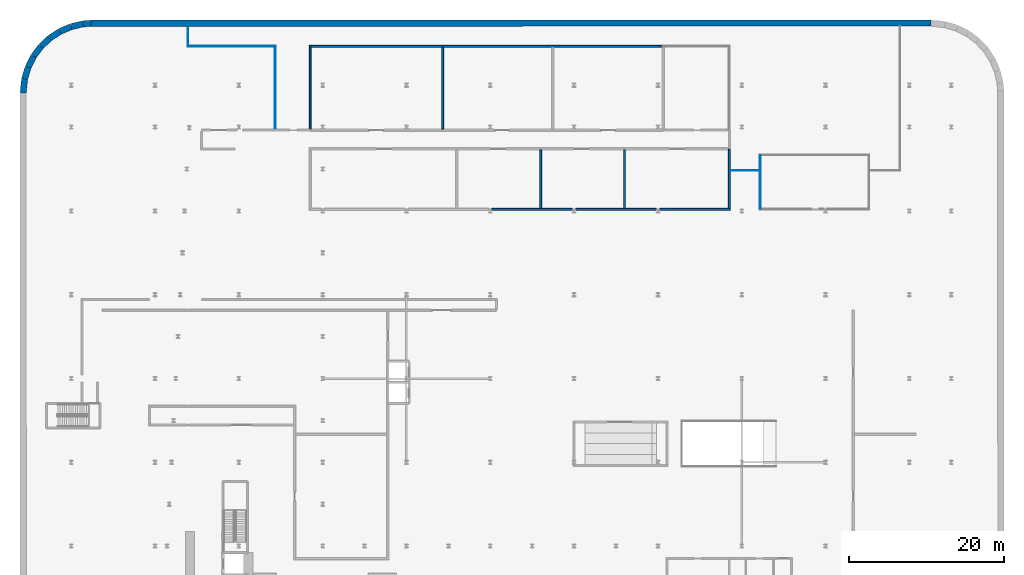
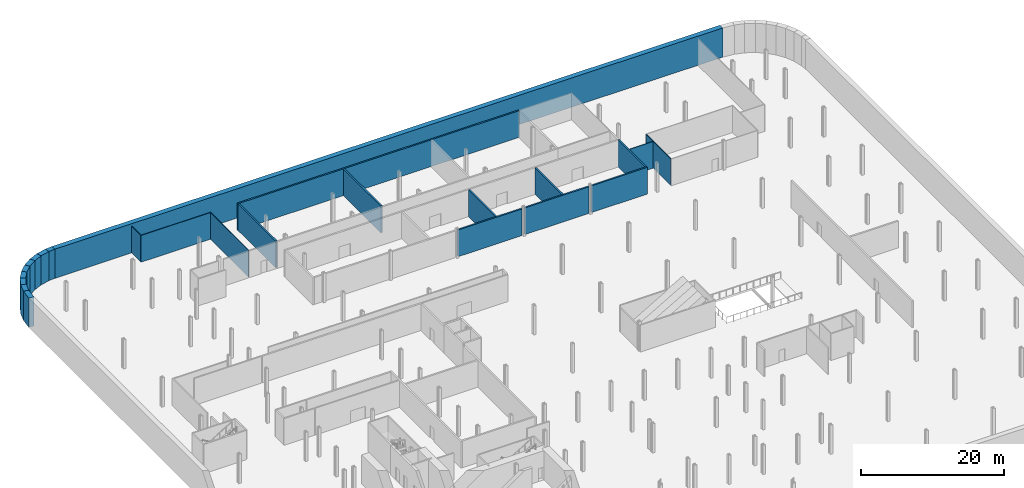
# One storey, part 13 of 19: 24 walls.
"""IFC4 building model written with IfcOpenShell, lengths in metres."""

from ifc_helpers import new_model, si_unit, direction, frame, frame_2d, origin, place, context, subcontext, project, spatial, rectangle, extrude, material, layer, layer_set, type_object, element, save


model = new_model("IFC4")

# Units and contexts
model_context = context("Model", 3, precision=1e-05, world=origin(), true_north=direction((0.0, 1.0)))
body_context = subcontext(model_context, "Body", "Model", "MODEL_VIEW")
ifc_project = project(units=[si_unit("LENGTHUNIT", "METRE"), si_unit("AREAUNIT", "SQUARE_METRE"), si_unit("VOLUMEUNIT", "CUBIC_METRE"), si_unit("PLANEANGLEUNIT", "RADIAN"), si_unit("MASSUNIT", "GRAM", prefix="KILO")], contexts=[model_context])

# Site, building, storey
site_placement = place(None, origin())
site = spatial("IfcSite", under=ifc_project, at=site_placement, CompositionType="ELEMENT")
building_placement = place(site_placement, origin())
building = spatial("IfcBuilding", under=site, at=building_placement, Name="Kheshtan School and Residences Tower", CompositionType="ELEMENT")
storey_placement = place(building_placement, frame((0.0, 0.0, -10.0)))
storey = spatial("IfcBuildingStorey", under=building, at=storey_placement, Name="B2", CompositionType="ELEMENT", Elevation=-10.0)

# Walls
ifc_material_1 = material(Name="Concrete C35/45", Category="concrete")
ifc_layer_1 = layer(ifc_material_1, 0.800048828125)
ifc_layer_set_1 = layer_set([ifc_layer_1], Name="Basement wall 800 Concrete C35/45")
wall_type_1 = type_object("IfcWallType", Name="Basement wall 800 Concrete C35/45", PredefinedType="SOLIDWALL", material=ifc_layer_set_1)
wall_1_placement = place(storey_placement, frame((9.0, 104.0, 0.0), z_axis=(0.0, 0.0, 1.0), x_axis=(0.105567043429, 0.994412187849, 0.0)))
element("IfcWall", 1, at=wall_1_placement, inside=storey, type_object=wall_type_1, Name="Secant pile wall 1", PredefinedType="SOLIDWALL", context=body_context, shape_type="SweptSolid", body=[
    extrude(rectangle(XDim=1.829345703125, YDim=0.800048828125, at=frame_2d((0.91455078125, 0.0))), origin(), (0.0, 0.0, 1.0), 5.0),
])
wall_2_placement = place(storey_placement, frame((9.193115234375, 105.819091796875, 0.0), z_axis=(0.0, 0.0, 1.0), x_axis=(0.287147763375, 0.957886299092, 0.0)))
element("IfcWall", 2, at=wall_2_placement, inside=storey, type_object=wall_type_1, Name="Secant pile wall 2", PredefinedType="SOLIDWALL", context=body_context, shape_type="SweptSolid", body=[
    extrude(rectangle(XDim=1.56689453125, YDim=0.800048828125, at=frame_2d((0.783447265625, 0.0))), origin(), (0.0, 0.0, 1.0), 5.0),
])
wall_3_placement = place(storey_placement, frame((9.64306640625, 107.320068359375, 0.0), z_axis=(0.0, 0.0, 1.0), x_axis=(0.448459314462, 0.893803246399, 0.0)))
element("IfcWall", 3, at=wall_3_placement, inside=storey, type_object=wall_type_1, Name="Secant pile wall 3", PredefinedType="SOLIDWALL", context=body_context, shape_type="SweptSolid", body=[
    extrude(rectangle(XDim=1.5673828125, YDim=0.800048828125, at=frame_2d((0.78369140625, 0.0))), origin(), (0.0, 0.0, 1.0), 5.0),
])
wall_4_placement = place(storey_placement, frame((10.345947265625, 108.720947265625, 0.0), z_axis=(0.0, 0.0, 1.0), x_axis=(0.597630520512, 0.801771638905, 0.0)))
element("IfcWall", 4, at=wall_4_placement, inside=storey, type_object=wall_type_1, Name="Secant pile wall 4", PredefinedType="SOLIDWALL", context=body_context, shape_type="SweptSolid", body=[
    extrude(rectangle(XDim=1.56787109375, YDim=0.800048828125, at=frame_2d((0.783935546875, 0.0))), origin(), (0.0, 0.0, 1.0), 5.0),
])
wall_5_placement = place(storey_placement, frame((11.282958984375, 109.97802734375, 0.0), z_axis=(0.0, 0.0, 1.0), x_axis=(0.726995868662, 0.686641833089, 0.0)))
element("IfcWall", 5, at=wall_5_placement, inside=storey, type_object=wall_type_1, Name="Secant pile wall 5", PredefinedType="SOLIDWALL", context=body_context, shape_type="SweptSolid", body=[
    extrude(rectangle(XDim=1.56689453125, YDim=0.800048828125, at=frame_2d((0.783447265625, 0.0))), origin(), (0.0, 0.0, 1.0), 5.0),
])
wall_6_placement = place(storey_placement, frame((12.422119140625, 111.053955078125, 0.0), z_axis=(0.0, 0.0, 1.0), x_axis=(0.835603348101, 0.549333272834, 0.0)))
element("IfcWall", 6, at=wall_6_placement, inside=storey, type_object=wall_type_1, Name="Secant pile wall 6", PredefinedType="SOLIDWALL", context=body_context, shape_type="SweptSolid", body=[
    extrude(rectangle(XDim=1.567626953125, YDim=0.800048828125, at=frame_2d((0.78369140625, 0.0))), origin(), (0.0, 0.0, 1.0), 5.0),
])
wall_7_placement = place(storey_placement, frame((13.73193359375, 111.9150390625, 0.0), z_axis=(0.0, 0.0, 1.0), x_axis=(0.918183437355, 0.396155493925, 0.0)))
element("IfcWall", 7, at=wall_7_placement, inside=storey, type_object=wall_type_1, Name="Secant pile wall 7", PredefinedType="SOLIDWALL", context=body_context, shape_type="SweptSolid", body=[
    extrude(rectangle(XDim=1.567138671875, YDim=0.800048828125, at=frame_2d((0.78369140625, 0.0))), origin(), (0.0, 0.0, 1.0), 5.0),
])
wall_8_placement = place(storey_placement, frame((15.1708984375, 112.535888671875, 0.0), z_axis=(0.0, 0.0, 1.0), x_axis=(0.972992949439, 0.230834833469, 0.0)))
element("IfcWall", 8, at=wall_8_placement, inside=storey, type_object=wall_type_1, Name="Secant pile wall 8", PredefinedType="SOLIDWALL", context=body_context, shape_type="SweptSolid", body=[
    extrude(rectangle(XDim=1.568603515625, YDim=0.800048828125, at=frame_2d((0.7841796875, 0.0))), origin(), (0.0, 0.0, 1.0), 5.0),
])
wall_9_placement = place(storey_placement, frame((16.697021484375, 112.89794921875, 0.0), z_axis=(0.0, 0.0, 1.0), x_axis=(0.996202832813, 0.087062712427, 0.0)))
element("IfcWall", 9, at=wall_9_placement, inside=storey, type_object=wall_type_1, Name="Secant pile wall 9", PredefinedType="SOLIDWALL", context=body_context, shape_type="SweptSolid", body=[
    extrude(rectangle(XDim=1.0458984375, YDim=0.800048828125, at=frame_2d((0.52294921875, 0.0))), origin(), (0.0, 0.0, 1.0), 5.0),
])
wall_10_placement = place(storey_placement, frame((17.739013671875, 112.989013671875, 0.0), z_axis=(0.0, 0.0, 1.0), x_axis=(0.999999994851, 0.000101480029, 0.0)))
element("IfcWall", 10, at=wall_10_placement, inside=storey, type_object=wall_type_1, Name="Secant pile wall 10", PredefinedType="SOLIDWALL", context=body_context, shape_type="SweptSolid", body=[
    extrude(rectangle(XDim=108.260986328125, YDim=0.800048828125, at=frame_2d((54.13037109375, 0.0))), origin(), (0.0, 0.0, 1.0), 5.0),
])
ifc_material_2 = material(Name="Gypsum board on steel studs", Category="steel")
ifc_layer_2 = layer(ifc_material_2, 0.10009765625)
ifc_layer_set_2 = layer_set([ifc_layer_2], Name="Gypsum partition 100")
wall_type_2 = type_object("IfcWallType", Name="Gypsum partition 100", PredefinedType="PARTITIONING", material=ifc_layer_set_2)
wall_11_placement = place(storey_placement, frame((30.199951171875, 110.0, 0.0), z_axis=(0.0, 0.0, 1.0), x_axis=(1.0, 0.0, 0.0)))
element("IfcWall", 11, at=wall_11_placement, inside=storey, type_object=wall_type_2, Name="Partition B2-009", PredefinedType="PARTITIONING", context=body_context, shape_type="SweptSolid", body=[
    extrude(rectangle(XDim=11.35009765625, YDim=0.10009765625, at=frame_2d((5.675048828125, 0.0))), origin(), (0.0, 0.0, 1.0), 4.580078125),
])
wall_12_placement = place(storey_placement, frame((30.25, 110.050048828125, 0.0), z_axis=(0.0, 0.0, 1.0), x_axis=(0.0, 1.0, 0.0)))
element("IfcWall", 12, at=wall_12_placement, inside=storey, type_object=wall_type_2, Name="Partition B2-013", PredefinedType="PARTITIONING", context=body_context, shape_type="SweptSolid", body=[
    extrude(rectangle(XDim=2.541015625, YDim=0.10009765625, at=frame_2d((1.2705078125, 0.0))), origin(), (0.0, 0.0, 1.0), 4.580078125),
])
wall_13_placement = place(storey_placement, frame((41.5, 99.300048828125, 0.0), z_axis=(0.0, 0.0, 1.0), x_axis=(0.0, 1.0, 0.0)))
element("IfcWall", 13, at=wall_13_placement, inside=storey, type_object=wall_type_2, Name="Partition B2-021", PredefinedType="PARTITIONING", context=body_context, shape_type="SweptSolid", body=[
    extrude(rectangle(XDim=10.64990234375, YDim=0.10009765625, at=frame_2d((5.324951171875, 0.0))), origin(), (0.0, 0.0, 1.0), 4.580078125),
])
wall_14_placement = place(storey_placement, frame((100.125, 94.0, 0.0), z_axis=(0.0, 0.0, 1.0), x_axis=(1.0, 0.0, 0.0)))
element("IfcWall", 14, at=wall_14_placement, inside=storey, type_object=wall_type_2, Name="Partition B2-059", PredefinedType="PARTITIONING", context=body_context, shape_type="SweptSolid", body=[
    extrude(rectangle(XDim=3.824951171875, YDim=0.10009765625, at=frame_2d((1.91259765625, 0.0))), origin(), (0.0, 0.0, 1.0), 4.580078125),
])
wall_15_placement = place(storey_placement, frame((104.0, 89.050048828125, 0.0), z_axis=(0.0, 0.0, 1.0), x_axis=(0.0, 1.0, 0.0)))
element("IfcWall", 15, at=wall_15_placement, inside=storey, type_object=wall_type_2, Name="Partition B2-064", PredefinedType="PARTITIONING", context=body_context, shape_type="SweptSolid", body=[
    extrude(rectangle(XDim=6.89990234375, YDim=0.10009765625, at=frame_2d((3.449951171875, 0.0))), origin(), (0.0, 0.0, 1.0), 4.580078125),
])
ifc_material_3 = material(Name="Fire-board and steel stud wall with mineral wool", Category="steel")
ifc_layer_3 = layer(ifc_material_3, 0.25)
ifc_layer_set_3 = layer_set([ifc_layer_3], Name="Plant room wall 250")
wall_type_3 = type_object("IfcWallType", Name="Plant room wall 250", PredefinedType="PARTITIONING", material=ifc_layer_set_3)
wall_16_placement = place(storey_placement, frame((45.875, 110.0, 0.0), z_axis=(0.0, 0.0, 1.0), x_axis=(1.0, 0.0, 0.0)))
element("IfcWall", 16, at=wall_16_placement, inside=storey, type_object=wall_type_3, Name="Partition B2-026", PredefinedType="PARTITIONING", context=body_context, shape_type="SweptSolid", body=[
    extrude(rectangle(XDim=45.59912109375, YDim=0.25, at=frame_2d((22.799560546875, 0.0))), origin(), (0.0, 0.0, 1.0), 4.580078125),
])
for number, where, z_axis, x_axis, name in (
    (17, (46.0, 99.324951171875, 0.0), (0.0, 0.0, 1.0), (0.0, 1.0, 0.0), "Partition B2-029"),
    (18, (63.052978515625, 99.324951171875, 0.0), (0.0, 0.0, 1.0), (0.0, 1.0, 0.0), "Partition B2-037"),
):
    element("IfcWall", number, at=place(storey_placement, frame(where, z_axis=z_axis, x_axis=x_axis)), inside=storey, type_object=wall_type_3, Name=name, PredefinedType="PARTITIONING", context=body_context, shape_type="SweptSolid", body=[
        extrude(rectangle(XDim=10.550048828125, YDim=0.25, at=frame_2d((5.27490234375, 0.0))), origin(), (0.0, 0.0, 1.0), 4.580078125),
    ])
wall_17_placement = place(storey_placement, frame((69.410888671875, 89.0, 0.0), z_axis=(0.0, 0.0, 1.0), x_axis=(1.0, 0.0, 0.0)))
element("IfcWall", 19, at=wall_17_placement, inside=storey, type_object=wall_type_3, Name="Partition B2-039", PredefinedType="PARTITIONING", context=body_context, shape_type="SweptSolid", body=[
    extrude(rectangle(XDim=10.378173828125, YDim=0.25, at=frame_2d((5.18896484375, 0.0))), origin(), (0.0, 0.0, 1.0), 4.580078125),
])
wall_18_placement = place(storey_placement, frame((75.699951171875, 89.125, 0.0), z_axis=(0.0, 0.0, 1.0), x_axis=(0.0, 1.0, 0.0)))
element("IfcWall", 20, at=wall_18_placement, inside=storey, type_object=wall_type_3, Name="Partition B2-041", PredefinedType="PARTITIONING", context=body_context, shape_type="SweptSolid", body=[
    extrude(rectangle(XDim=7.550048828125, YDim=0.25, at=frame_2d((3.77490234375, 0.0))), origin(), (0.0, 0.0, 1.0), 4.580078125),
])
wall_19_placement = place(storey_placement, frame((80.2109375, 89.0, 0.0), z_axis=(0.0, 0.0, 1.0), x_axis=(1.0, 0.0, 0.0)))
element("IfcWall", 21, at=wall_19_placement, inside=storey, type_object=wall_type_3, Name="Partition B2-046", PredefinedType="PARTITIONING", context=body_context, shape_type="SweptSolid", body=[
    extrude(rectangle(XDim=10.378173828125, YDim=0.25, at=frame_2d((5.18896484375, 0.0))), origin(), (0.0, 0.0, 1.0), 4.580078125),
])
wall_20_placement = place(storey_placement, frame((86.5, 89.125, 0.0), z_axis=(0.0, 0.0, 1.0), x_axis=(0.0, 1.0, 0.0)))
element("IfcWall", 22, at=wall_20_placement, inside=storey, type_object=wall_type_3, Name="Partition B2-047", PredefinedType="PARTITIONING", context=body_context, shape_type="SweptSolid", body=[
    extrude(rectangle(XDim=7.550048828125, YDim=0.25, at=frame_2d((3.77490234375, 0.0))), origin(), (0.0, 0.0, 1.0), 4.580078125),
])
wall_21_placement = place(storey_placement, frame((91.010986328125, 89.0, 0.0), z_axis=(0.0, 0.0, 1.0), x_axis=(1.0, 0.0, 0.0)))
element("IfcWall", 23, at=wall_21_placement, inside=storey, type_object=wall_type_3, Name="Partition B2-048", PredefinedType="PARTITIONING", context=body_context, shape_type="SweptSolid", body=[
    extrude(rectangle(XDim=9.114013671875, YDim=0.25, at=frame_2d((4.55712890625, 0.0))), origin(), (0.0, 0.0, 1.0), 4.580078125),
])
wall_22_placement = place(storey_placement, frame((100.0, 89.125, 0.0), z_axis=(0.0, 0.0, 1.0), x_axis=(0.0, 1.0, 0.0)))
element("IfcWall", 24, at=wall_22_placement, inside=storey, type_object=wall_type_3, Name="Partition B2-056", PredefinedType="PARTITIONING", context=body_context, shape_type="SweptSolid", body=[
    extrude(rectangle(XDim=7.675048828125, YDim=0.25, at=frame_2d((3.83740234375, 0.0))), origin(), (0.0, 0.0, 1.0), 4.580078125),
])

save(model, "model.ifc")
